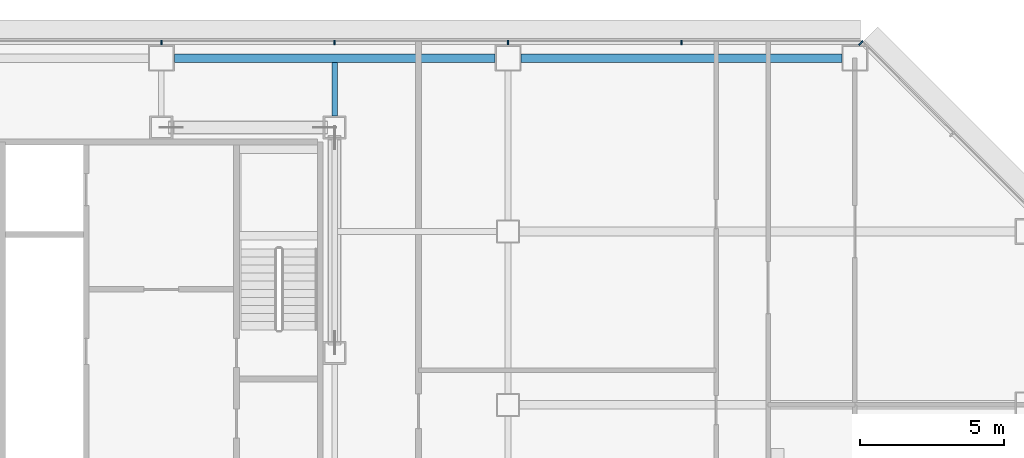
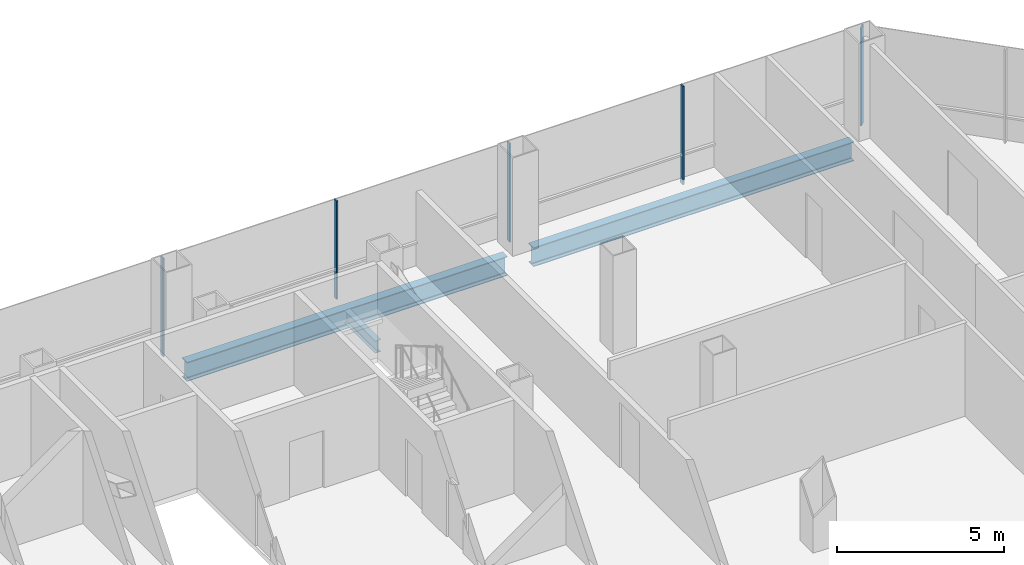
# One storey, part 15 of 28: 5 members, 3 beams, 2 elements without a shape of their own.
"""IFC4 building model written with IfcOpenShell, lengths in metres."""

from ifc_helpers import new_model, si_unit, direction, frame, origin, origin_2d, place, context, subcontext, project, spatial, rectangle, i_section, extrude, material, material_profile, profile_set, type_object, element, aggregate, save


model = new_model("IFC4")

# Units and contexts
model_context = context("Model", 3, precision=1e-05, world=origin(), true_north=direction((0.0, 1.0)))
body_context = subcontext(model_context, "Body", "Model", "MODEL_VIEW")
ifc_project = project(units=[si_unit("LENGTHUNIT", "METRE"), si_unit("AREAUNIT", "SQUARE_METRE"), si_unit("VOLUMEUNIT", "CUBIC_METRE"), si_unit("PLANEANGLEUNIT", "RADIAN"), si_unit("MASSUNIT", "GRAM", prefix="KILO")], contexts=[model_context])

# Site, building, storey
site_placement = place(None, origin())
site = spatial("IfcSite", under=ifc_project, at=site_placement, CompositionType="ELEMENT")
building_placement = place(site_placement, origin())
building = spatial("IfcBuilding", under=site, at=building_placement, Name="Sorahane Residences", CompositionType="ELEMENT")
storey_placement = place(building_placement, frame((0.0, 0.0, 60.60009765625)))
storey = spatial("IfcBuildingStorey", under=building, at=storey_placement, Name="L11", CompositionType="ELEMENT", Elevation=60.60009765625)

# Curtain wall, members
ifc_material_1 = material(Name="Dark low-e glass and black anodised aluminium", Category="aluminium")
curtain_wall_type_1 = type_object("IfcCurtainWallType", Name="Curtain wall CW-1 Typical unitised wall", PredefinedType="NOTDEFINED", material=ifc_material_1)
curtain_wall_1_placement = place(storey_placement, origin())
curtain_wall_1 = element("IfcCurtainWall", 1, at=curtain_wall_1_placement, inside=storey, type_object=curtain_wall_type_1, Name="CW-1 curtain wall L11 N1", PredefinedType="NOTDEFINED")
ifc_material_2 = material(Name="Black anodised aluminium", Category="aluminium")
ifc_material_profile_1 = material_profile(ifc_material_2, rectangle(XDim=0.159912109375, YDim=0.050048828125, at=origin_2d()), Name="Curtain wall mullion CW-1 black anodised aluminium 50x160")
ifc_profile_set_1 = profile_set([ifc_material_profile_1], Name="Black anodised aluminium")
member_type_1 = type_object("IfcMemberType", Name="Curtain wall mullion CW-1 black anodised aluminium 50x160", PredefinedType="MULLION", material=ifc_profile_set_1)
member_1_placement = place(storey_placement, frame((54.0, 48.5400390625, -0.18017578125), z_axis=(0.0, 0.0, 1.0), x_axis=(0.0, 1.0, 0.0)))
member_1 = element("IfcMember", 2, at=member_1_placement, type_object=member_type_1, Name="CW-1 mullion L11 N1.2", PredefinedType="MULLION", context=body_context, shape_type="SweptSolid", body=[
    extrude(rectangle(XDim=0.159912109375, YDim=0.050048828125, at=origin_2d()), origin(), (0.0, 0.0, 1.0), 3.60009765625),
])
member_2_placement = place(storey_placement, frame((48.0, 48.5400390625, -0.18017578125), z_axis=(0.0, 0.0, 1.0), x_axis=(0.0, 1.0, 0.0)))
member_2 = element("IfcMember", 3, at=member_2_placement, type_object=member_type_1, Name="CW-1 mullion L11 N1.3", PredefinedType="MULLION", context=body_context, shape_type="SweptSolid", body=[
    extrude(rectangle(XDim=0.159912109375, YDim=0.050048828125, at=origin_2d()), origin(), (0.0, 0.0, 1.0), 3.60009765625),
])
member_3_placement = place(storey_placement, frame((42.0, 48.5400390625, -0.18017578125), z_axis=(0.0, 0.0, 1.0), x_axis=(0.0, 1.0, 0.0)))
member_3 = element("IfcMember", 4, at=member_3_placement, type_object=member_type_1, Name="CW-1 mullion L11 N1.4", PredefinedType="MULLION", context=body_context, shape_type="SweptSolid", body=[
    extrude(rectangle(XDim=0.159912109375, YDim=0.050048828125, at=origin_2d()), origin(), (0.0, 0.0, 1.0), 3.60009765625),
])
member_4_placement = place(storey_placement, frame((36.0, 48.5400390625, -0.18017578125), z_axis=(0.0, 0.0, 1.0), x_axis=(0.0, 1.0, 0.0)))
member_4 = element("IfcMember", 5, at=member_4_placement, type_object=member_type_1, Name="CW-1 mullion L11 N1.5", PredefinedType="MULLION", context=body_context, shape_type="SweptSolid", body=[
    extrude(rectangle(XDim=0.159912109375, YDim=0.050048828125, at=origin_2d()), origin(), (0.0, 0.0, 1.0), 3.60009765625),
])
aggregate(curtain_wall_1, [member_1, member_2, member_3, member_4])

# Curtain wall, member
ifc_material_3 = material(Name="Dark low-e glass and black anodised aluminium", Category="aluminium")
curtain_wall_type_2 = type_object("IfcCurtainWallType", Name="Curtain wall CW-2 Chamfer unitised wall", PredefinedType="NOTDEFINED", material=ifc_material_3)
curtain_wall_2_placement = place(storey_placement, origin())
curtain_wall_2 = element("IfcCurtainWall", 6, at=curtain_wall_2_placement, inside=storey, type_object=curtain_wall_type_2, Name="CW-2 curtain wall L11 NE1", PredefinedType="NOTDEFINED")
ifc_material_4 = material(Name="Black anodised aluminium", Category="aluminium")
ifc_material_profile_2 = material_profile(ifc_material_4, rectangle(XDim=0.199951171875, YDim=0.050048828125, at=origin_2d()), Name="Curtain wall mullion CW-2 black anodised aluminium 50x200")
ifc_profile_set_2 = profile_set([ifc_material_profile_2], Name="Black anodised aluminium")
member_type_2 = type_object("IfcMemberType", Name="Curtain wall mullion CW-2 black anodised aluminium 50x200", PredefinedType="MULLION", material=ifc_profile_set_2)
member_5_placement = place(storey_placement, frame((60.209716796875, 48.525634765625, -0.18017578125), z_axis=(0.0, 0.0, 1.0), x_axis=(0.707106781187, 0.707106781187, 0.0)))
member_5 = element("IfcMember", 7, at=member_5_placement, type_object=member_type_2, Name="CW-2 mullion L11 NE1.3", PredefinedType="MULLION", context=body_context, shape_type="SweptSolid", body=[
    extrude(rectangle(XDim=0.199951171875, YDim=0.050048828125, at=origin_2d()), origin(), (0.0, 0.0, 1.0), 3.60009765625),
])
aggregate(curtain_wall_2, [member_5])

# Beams
ifc_material_5 = material(Name="Steel Q355B", Category="steel")
ifc_material_profile_3 = material_profile(ifc_material_5, i_section(OverallWidth=0.199951171875, OverallDepth=0.449951171875, WebThickness=0.009033203125, FlangeThickness=0.013916015625, FilletRadius=0.02001953125, at=origin_2d()), Name="HN 450x200x9x14")
ifc_profile_set_3 = profile_set([ifc_material_profile_3], Name="Steel Q355B")
beam_type_1 = type_object("IfcBeamType", Name="Steel floor beam HN 450x200x9x14 Q355B", PredefinedType="BEAM", material=ifc_profile_set_3)
beam_placement = place(storey_placement, frame((42.0, 46.0, -0.405029296875), z_axis=(0.0, 1.0, 0.0), x_axis=(-1.0, 0.0, 0.0)))
element("IfcBeam", 8, at=beam_placement, inside=storey, type_object=beam_type_1, Name="Beam L11 049", PredefinedType="BEAM", context=body_context, shape_type="SweptSolid", body=[
    extrude(i_section(OverallWidth=0.199951171875, OverallDepth=0.449951171875, WebThickness=0.009033203125, FlangeThickness=0.013916015625, FilletRadius=0.02001953125, at=origin_2d()), origin(), (0.0, 0.0, 1.0), 1.85009765625),
])
ifc_material_6 = material(Name="Steel Q355B", Category="steel")
ifc_material_profile_4 = material_profile(ifc_material_6, i_section(OverallWidth=0.300048828125, OverallDepth=0.699951171875, WebThickness=0.012939453125, FlangeThickness=0.02392578125, FilletRadius=0.028076171875, at=origin_2d()), Name="HN 700x300x13x24")
ifc_profile_set_4 = profile_set([ifc_material_profile_4], Name="Steel Q355B")
beam_type_2 = type_object("IfcBeamType", Name="Steel floor beam HN 700x300x13x24 Q355B", PredefinedType="BEAM", material=ifc_profile_set_4)
for number, where, z_axis, x_axis, name in (
    (9, (36.449951171875, 48.0, -0.530029296875), (1.0, 0.0, 0.0), (0.0, 1.0, 0.0), "Beam L11 015"),
    (10, (48.449951171875, 48.0, -0.530029296875), (1.0, 0.0, 0.0), (0.0, 1.0, 0.0), "Beam L11 016"),
):
    element("IfcBeam", number, at=place(storey_placement, frame(where, z_axis=z_axis, x_axis=x_axis)), inside=storey, type_object=beam_type_2, Name=name, PredefinedType="BEAM", context=body_context, shape_type="SweptSolid", body=[
        extrude(i_section(OverallWidth=0.300048828125, OverallDepth=0.699951171875, WebThickness=0.012939453125, FlangeThickness=0.02392578125, FilletRadius=0.028076171875, at=origin_2d()), origin(), (0.0, 0.0, 1.0), 11.10009765625),
    ])

save(model, "model.ifc")
